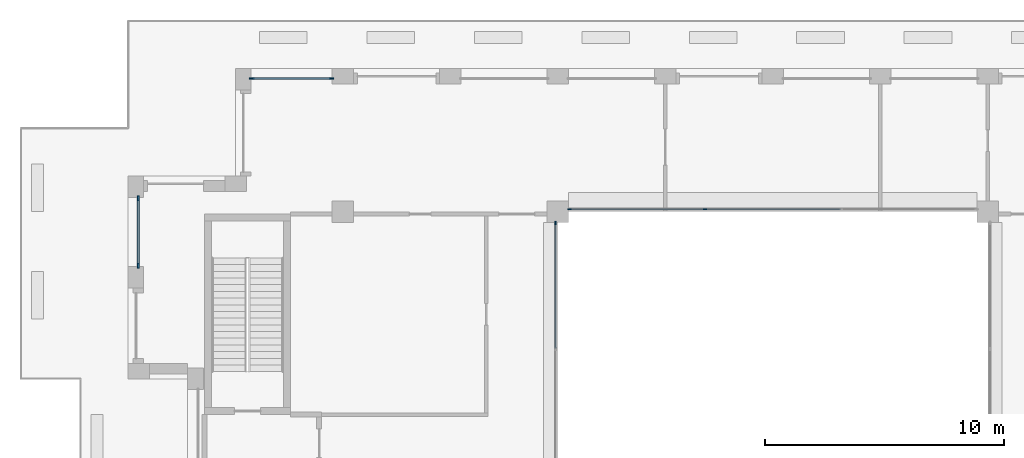
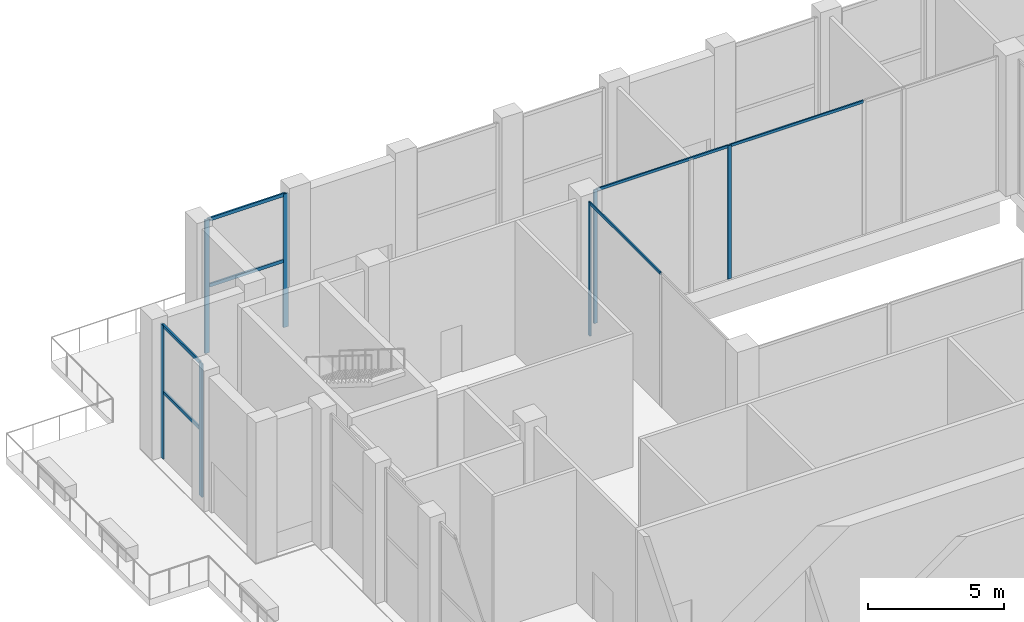
# One storey, part 7 of 18: 14 members, 4 elements without a shape of their own.
"""IFC4 building model written with IfcOpenShell, lengths in metres."""

from ifc_helpers import new_model, si_unit, direction, frame, origin, origin_2d, place, context, subcontext, project, spatial, rectangle, extrude, material, layer, layer_set, material_profile, profile_set, type_object, element, aggregate, save


model = new_model("IFC4")

# Units and contexts
model_context = context("Model", 3, precision=1e-05, world=origin(), true_north=direction((0.0, 1.0)))
body_context = subcontext(model_context, "Body", "Model", "MODEL_VIEW")
ifc_project = project(units=[si_unit("LENGTHUNIT", "METRE"), si_unit("AREAUNIT", "SQUARE_METRE"), si_unit("VOLUMEUNIT", "CUBIC_METRE"), si_unit("PLANEANGLEUNIT", "RADIAN"), si_unit("MASSUNIT", "GRAM", prefix="KILO")], contexts=[model_context])

# Site, building, storey
site_placement = place(None, origin())
site = spatial("IfcSite", under=ifc_project, at=site_placement, CompositionType="ELEMENT")
building_placement = place(site_placement, origin())
building = spatial("IfcBuilding", under=site, at=building_placement, Name="Brigalow Station Residences", CompositionType="ELEMENT")
storey_placement = place(building_placement, frame((0.0, 0.0, 191.699951171875)))
storey = spatial("IfcBuildingStorey", under=building, at=storey_placement, Name="L55", CompositionType="ELEMENT", Elevation=191.699951171875)

# Curtain wall, members
ifc_material_1 = material(Name="Aluminium", Category="aluminium")
ifc_layer_1 = layer(ifc_material_1, 0.14990234375)
ifc_layer_set_1 = layer_set([ifc_layer_1], Name="ATRIUM FIRE-RATED GLAZING CURTAIN WALL")
curtain_wall_type_1 = type_object("IfcCurtainWallType", Name="ATRIUM FIRE-RATED GLAZING CURTAIN WALL", PredefinedType="NOTDEFINED", material=ifc_layer_set_1)
curtain_wall_1_placement = place(storey_placement, origin())
curtain_wall_1 = element("IfcCurtainWall", 1, at=curtain_wall_1_placement, inside=storey, type_object=curtain_wall_type_1, Name="L55/cw/atrium-N", PredefinedType="NOTDEFINED")
ifc_material_2 = material(Name="Aluminium", Category="aluminium")
ifc_material_profile_1 = material_profile(ifc_material_2, rectangle(XDim=0.06005859375, YDim=0.14990234375, at=origin_2d()), Name="ATRIUM FIRE-RATED GLAZING MULLION 60x150")
ifc_profile_set_1 = profile_set([ifc_material_profile_1], Name="Aluminium")
member_type_1 = type_object("IfcMemberType", Name="ATRIUM FIRE-RATED GLAZING MULLION 60x150", PredefinedType="MULLION", material=ifc_profile_set_1)
member_1_placement = place(storey_placement, frame((33.14990234375, 35.60009765625, 0.0), z_axis=(0.0, 0.0, 1.0), x_axis=(0.0, -1.0, 0.0)))
member_1 = element("IfcMember", 2, at=member_1_placement, type_object=member_type_1, Name="L55/cw/atrium-N/M02", PredefinedType="MULLION", context=body_context, shape_type="SweptSolid", body=[
    extrude(rectangle(XDim=0.06005859375, YDim=0.14990234375, at=origin_2d()), origin(), (0.0, 0.0, 1.0), 5.97998046875),
])
member_2_placement = place(storey_placement, frame((27.47998046875, 35.60009765625, 0.0), z_axis=(0.0, 0.0, 1.0), x_axis=(0.0, -1.0, 0.0)))
member_2 = element("IfcMember", 3, at=member_2_placement, type_object=member_type_1, Name="L55/cw/atrium-N/M03", PredefinedType="MULLION", context=body_context, shape_type="SweptSolid", body=[
    extrude(rectangle(XDim=0.06005859375, YDim=0.14990234375, at=origin_2d()), origin(), (0.0, 0.0, 1.0), 5.97998046875),
])

# Curtain wall, member
curtain_wall_2_placement = place(storey_placement, origin())
curtain_wall_2 = element("IfcCurtainWall", 4, at=curtain_wall_2_placement, inside=storey, type_object=curtain_wall_type_1, Name="L55/cw/atrium-W", PredefinedType="NOTDEFINED")
member_3_placement = place(storey_placement, frame((26.89990234375, 35.02001953125, 0.0), z_axis=(0.0, 0.0, 1.0), x_axis=(1.0, 0.0, 0.0)))
member_3 = element("IfcMember", 5, at=member_3_placement, type_object=member_type_1, Name="L55/cw/atrium-W/M00", PredefinedType="MULLION", context=body_context, shape_type="SweptSolid", body=[
    extrude(rectangle(XDim=0.06005859375, YDim=0.14990234375, at=origin_2d()), origin(), (0.0, 0.0, 1.0), 5.97998046875),
])

# Member
ifc_material_3 = material(Name="Aluminium", Category="aluminium")
ifc_material_profile_2 = material_profile(ifc_material_3, rectangle(XDim=0.06005859375, YDim=0.1201171875, at=origin_2d()), Name="ATRIUM FIRE-RATED GLAZING TRANSOM 60x120")
ifc_profile_set_2 = profile_set([ifc_material_profile_2], Name="Aluminium")
member_type_2 = type_object("IfcMemberType", Name="ATRIUM FIRE-RATED GLAZING TRANSOM 60x120", PredefinedType="USERDEFINED", material=ifc_profile_set_2)
member_4_placement = place(storey_placement, frame((38.820068359375, 35.60009765625, 5.949951171875), z_axis=(-1.0, 0.0, 0.0), x_axis=(0.0, -1.0, 0.0)))
member_4 = element("IfcMember", 6, at=member_4_placement, type_object=member_type_2, Name="L55/cw/atrium-N/T01-00", ObjectType="TRANSOM", PredefinedType="USERDEFINED", context=body_context, shape_type="SweptSolid", body=[
    extrude(rectangle(XDim=0.06005859375, YDim=0.1201171875, at=origin_2d()), origin(), (0.0, 0.0, 1.0), 5.64013671875),
])

member_5_placement = place(storey_placement, frame((33.1201171875, 35.60009765625, 5.949951171875), z_axis=(-1.0, 0.0, 0.0), x_axis=(0.0, -1.0, 0.0)))
member_5 = element("IfcMember", 7, at=member_5_placement, type_object=member_type_2, Name="L55/cw/atrium-N/T02-00", ObjectType="TRANSOM", PredefinedType="USERDEFINED", context=body_context, shape_type="SweptSolid", body=[
    extrude(rectangle(XDim=0.06005859375, YDim=0.1201171875, at=origin_2d()), origin(), (0.0, 0.0, 1.0), 5.610107421875),
])

aggregate(curtain_wall_1, [member_1, member_2, member_4, member_5])

member_6_placement = place(storey_placement, frame((26.89990234375, 34.989990234375, 5.949951171875), z_axis=(0.0, -1.0, 0.0), x_axis=(1.0, 0.0, 0.0)))
member_6 = element("IfcMember", 8, at=member_6_placement, type_object=member_type_2, Name="L55/cw/atrium-W/T00-00", ObjectType="TRANSOM", PredefinedType="USERDEFINED", context=body_context, shape_type="SweptSolid", body=[
    extrude(rectangle(XDim=0.06005859375, YDim=0.1201171875, at=origin_2d()), origin(), (0.0, 0.0, 1.0), 5.2099609375),
])

aggregate(curtain_wall_2, [member_3, member_6])

# Curtain wall, members
ifc_material_4 = material(Name="Aluminium", Category="aluminium")
ifc_layer_2 = layer(ifc_material_4, 0.199951171875)
ifc_layer_set_2 = layer_set([ifc_layer_2], Name="SKY FLOOR GLAZING CURTAIN WALL")
curtain_wall_type_2 = type_object("IfcCurtainWallType", Name="SKY FLOOR GLAZING CURTAIN WALL", PredefinedType="NOTDEFINED", material=ifc_layer_set_2)
curtain_wall_3_placement = place(storey_placement, origin())
curtain_wall_3 = element("IfcCurtainWall", 9, at=curtain_wall_3_placement, inside=storey, type_object=curtain_wall_type_2, Name="L55/cw/W-L55-31", PredefinedType="NOTDEFINED")
ifc_material_5 = material(Name="Aluminium", Category="aluminium")
ifc_material_profile_3 = material_profile(ifc_material_5, rectangle(XDim=0.070068359375, YDim=0.199951171875, at=origin_2d()), Name="SKY FLOOR GLAZING MULLION 70x200")
ifc_profile_set_3 = profile_set([ifc_material_profile_3], Name="Aluminium")
member_type_3 = type_object("IfcMemberType", Name="SKY FLOOR GLAZING MULLION 70x200", PredefinedType="MULLION", material=ifc_profile_set_3)
member_7_placement = place(storey_placement, frame((17.514892578125, 41.074951171875, 0.0), z_axis=(0.0, 0.0, 1.0), x_axis=(0.0, -1.0, 0.0)))
member_7 = element("IfcMember", 10, at=member_7_placement, type_object=member_type_3, Name="L55/cw/W-L55-31/M00", PredefinedType="MULLION", context=body_context, shape_type="SweptSolid", body=[
    extrude(rectangle(XDim=0.070068359375, YDim=0.199951171875, at=origin_2d()), origin(), (0.0, 0.0, 1.0), 5.97998046875),
])
member_8_placement = place(storey_placement, frame((14.18505859375, 41.074951171875, 0.0), z_axis=(0.0, 0.0, 1.0), x_axis=(0.0, -1.0, 0.0)))
member_8 = element("IfcMember", 11, at=member_8_placement, type_object=member_type_3, Name="L55/cw/W-L55-31/M01", PredefinedType="MULLION", context=body_context, shape_type="SweptSolid", body=[
    extrude(rectangle(XDim=0.070068359375, YDim=0.199951171875, at=origin_2d()), origin(), (0.0, 0.0, 1.0), 5.97998046875),
])

curtain_wall_4_placement = place(storey_placement, origin())
curtain_wall_4 = element("IfcCurtainWall", 12, at=curtain_wall_4_placement, inside=storey, type_object=curtain_wall_type_2, Name="L55/cw/W-L55-34", PredefinedType="NOTDEFINED")
member_9_placement = place(storey_placement, frame((9.425048828125, 36.06494140625, 0.0), z_axis=(0.0, 0.0, 1.0), x_axis=(1.0, 0.0, 0.0)))
member_9 = element("IfcMember", 13, at=member_9_placement, type_object=member_type_3, Name="L55/cw/W-L55-34/M00", PredefinedType="MULLION", context=body_context, shape_type="SweptSolid", body=[
    extrude(rectangle(XDim=0.070068359375, YDim=0.199951171875, at=origin_2d()), origin(), (0.0, 0.0, 1.0), 5.97998046875),
])
member_10_placement = place(storey_placement, frame((9.425048828125, 33.235107421875, 0.0), z_axis=(0.0, 0.0, 1.0), x_axis=(1.0, 0.0, 0.0)))
member_10 = element("IfcMember", 14, at=member_10_placement, type_object=member_type_3, Name="L55/cw/W-L55-34/M01", PredefinedType="MULLION", context=body_context, shape_type="SweptSolid", body=[
    extrude(rectangle(XDim=0.070068359375, YDim=0.199951171875, at=origin_2d()), origin(), (0.0, 0.0, 1.0), 5.97998046875),
])

# Member
ifc_material_6 = material(Name="Aluminium", Category="aluminium")
ifc_material_profile_4 = material_profile(ifc_material_6, rectangle(XDim=0.070068359375, YDim=0.14990234375, at=origin_2d()), Name="SKY FLOOR GLAZING TRANSOM 70x150")
ifc_profile_set_4 = profile_set([ifc_material_profile_4], Name="Aluminium")
member_type_4 = type_object("IfcMemberType", Name="SKY FLOOR GLAZING TRANSOM 70x150", PredefinedType="USERDEFINED", material=ifc_profile_set_4)
member_11_placement = place(storey_placement, frame((17.47998046875, 41.074951171875, 2.989990234375), z_axis=(-1.0, 0.0, 0.0), x_axis=(0.0, -1.0, 0.0)))
member_11 = element("IfcMember", 15, at=member_11_placement, type_object=member_type_4, Name="L55/cw/W-L55-31/T00-00", ObjectType="TRANSOM", PredefinedType="USERDEFINED", context=body_context, shape_type="SweptSolid", body=[
    extrude(rectangle(XDim=0.070068359375, YDim=0.14990234375, at=origin_2d()), origin(), (0.0, 0.0, 1.0), 3.260009765625),
])

member_12_placement = place(storey_placement, frame((17.47998046875, 41.074951171875, 5.945068359375), z_axis=(-1.0, 0.0, 0.0), x_axis=(0.0, -1.0, 0.0)))
member_12 = element("IfcMember", 16, at=member_12_placement, type_object=member_type_4, Name="L55/cw/W-L55-31/T00-01", ObjectType="TRANSOM", PredefinedType="USERDEFINED", context=body_context, shape_type="SweptSolid", body=[
    extrude(rectangle(XDim=0.070068359375, YDim=0.14990234375, at=origin_2d()), origin(), (0.0, 0.0, 1.0), 3.260009765625),
])

aggregate(curtain_wall_3, [member_7, member_8, member_11, member_12])

member_13_placement = place(storey_placement, frame((9.425048828125, 36.030029296875, 2.989990234375), z_axis=(0.0, -1.0, 0.0), x_axis=(1.0, 0.0, 0.0)))
member_13 = element("IfcMember", 17, at=member_13_placement, type_object=member_type_4, Name="L55/cw/W-L55-34/T00-00", ObjectType="TRANSOM", PredefinedType="USERDEFINED", context=body_context, shape_type="SweptSolid", body=[
    extrude(rectangle(XDim=0.070068359375, YDim=0.14990234375, at=origin_2d()), origin(), (0.0, 0.0, 1.0), 2.760009765625),
])

member_14_placement = place(storey_placement, frame((9.425048828125, 36.030029296875, 5.945068359375), z_axis=(0.0, -1.0, 0.0), x_axis=(1.0, 0.0, 0.0)))
member_14 = element("IfcMember", 18, at=member_14_placement, type_object=member_type_4, Name="L55/cw/W-L55-34/T00-01", ObjectType="TRANSOM", PredefinedType="USERDEFINED", context=body_context, shape_type="SweptSolid", body=[
    extrude(rectangle(XDim=0.070068359375, YDim=0.14990234375, at=origin_2d()), origin(), (0.0, 0.0, 1.0), 2.760009765625),
])

aggregate(curtain_wall_4, [member_9, member_10, member_13, member_14])

save(model, "model.ifc")
